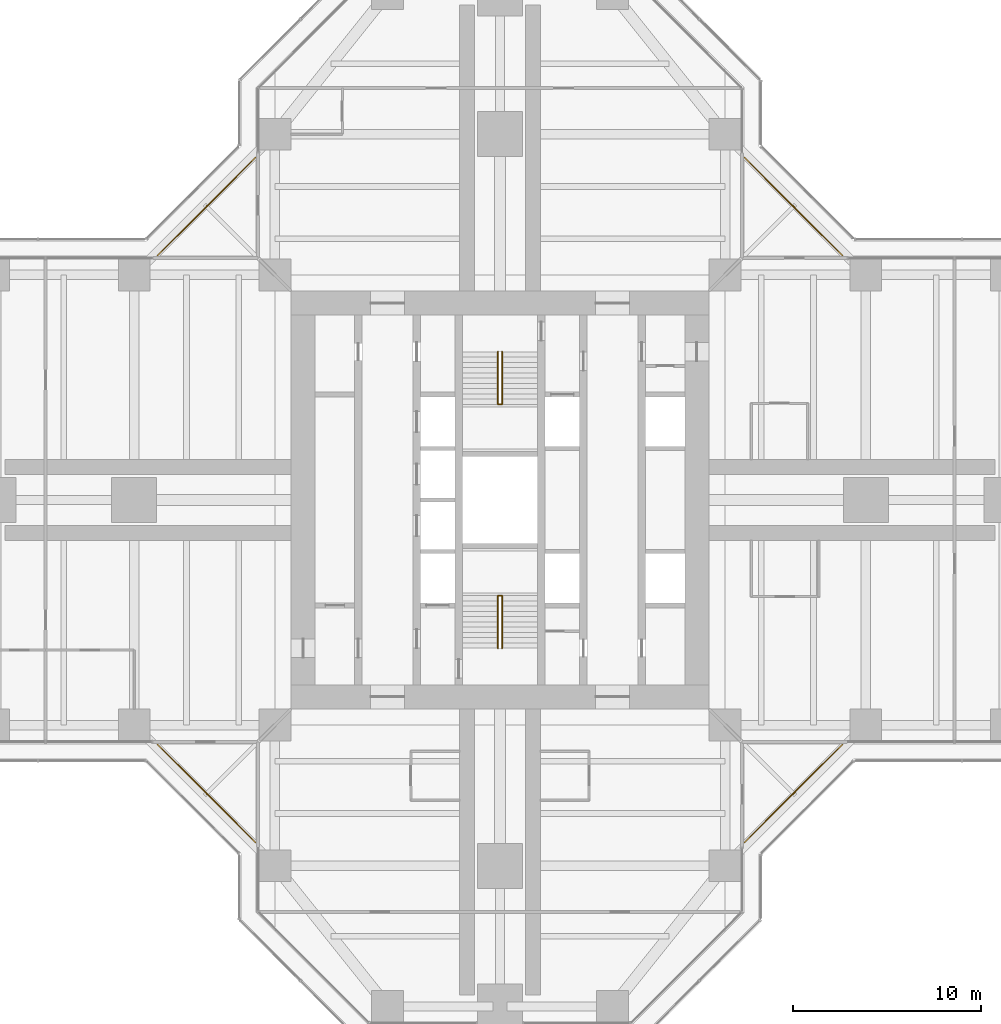
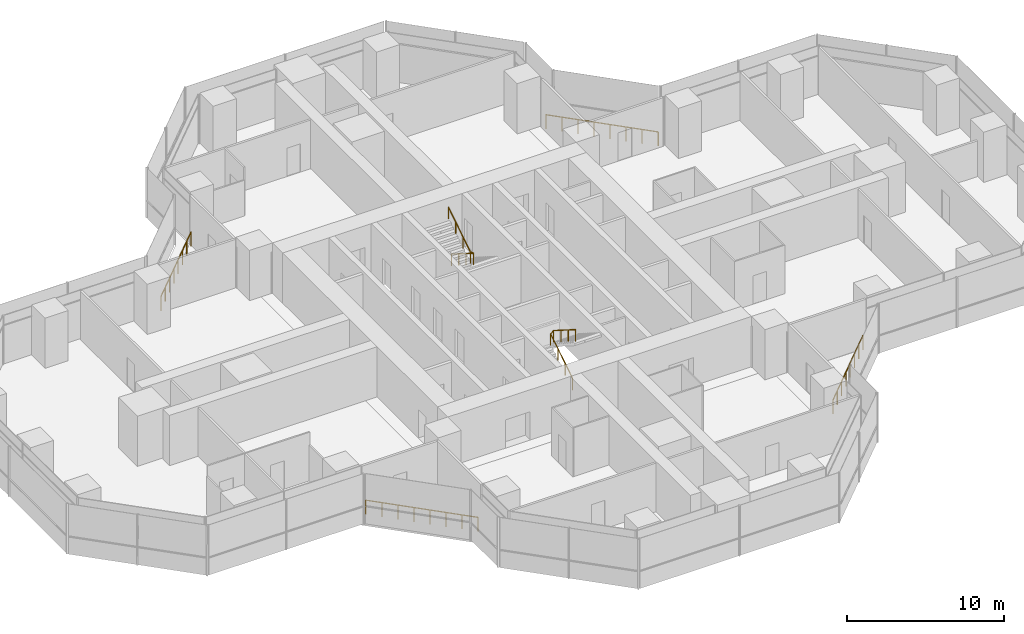
# One storey, part 19 of 19: 6 railings.
"""IFC4 building model written with IfcOpenShell, lengths in metres."""

from ifc_helpers import new_model, si_unit, direction, frame, origin, origin_2d, place, context, subcontext, project, spatial, circle, extrude, material, type_object, element, save


model = new_model("IFC4")

# Units and contexts
model_context = context("Model", 3, precision=1e-05, world=origin(), true_north=direction((0.0, 1.0)))
body_context = subcontext(model_context, "Body", "Model", "MODEL_VIEW")
ifc_project = project(units=[si_unit("LENGTHUNIT", "METRE"), si_unit("AREAUNIT", "SQUARE_METRE"), si_unit("VOLUMEUNIT", "CUBIC_METRE"), si_unit("PLANEANGLEUNIT", "RADIAN"), si_unit("MASSUNIT", "GRAM", prefix="KILO")], contexts=[model_context])

# Site, building, storey
site_placement = place(None, origin())
site = spatial("IfcSite", under=ifc_project, at=site_placement, CompositionType="ELEMENT")
building_placement = place(site_placement, origin())
building = spatial("IfcBuilding", under=site, at=building_placement, Name="Mizan Broadcast Tower", CompositionType="ELEMENT")
storey_placement = place(building_placement, frame((0.0, 0.0, 186.60009765625)))
storey = spatial("IfcBuildingStorey", under=building, at=storey_placement, Name="L43", CompositionType="ELEMENT", Elevation=186.60009765625)

# Railings
ifc_material_1 = material(Name="Stainless steel and glass guard", Category="steel")
railing_type_1 = type_object("IfcRailingType", Name="GUARD 1100", PredefinedType="GUARDRAIL", material=ifc_material_1)
railing_1_placement = place(storey_placement, frame((18.2578125, 13.030029296875, 0.0)))
element("IfcRailing", 1, at=railing_1_placement, inside=storey, type_object=railing_type_1, Name="Winter garden guard L43 E", PredefinedType="GUARDRAIL", context=body_context, shape_type="SweptSolid", body=[
    extrude(circle(Radius=0.02392578125, at=origin_2d()), frame((0.0, 0.0, 1.076171875), z_axis=(-0.707106781187, 0.707106781187, 0.0), x_axis=(-0.707106781187, -0.707106781187, 0.0)), (0.0, 0.0, 1.0), 7.393310546875),
    extrude(circle(Radius=0.02099609375, at=origin_2d()), origin(), (0.0, 0.0, 1.0), 1.052001953125),
    extrude(circle(Radius=0.02099609375, at=origin_2d()), frame((-0.746826171875, 0.746826171875, 0.0)), (0.0, 0.0, 1.0), 1.052001953125),
    extrude(circle(Radius=0.02099609375, at=origin_2d()), frame((-1.49365234375, 1.49365234375, 0.0)), (0.0, 0.0, 1.0), 1.052001953125),
    extrude(circle(Radius=0.02099609375, at=origin_2d()), frame((-2.240478515625, 2.240478515625, 0.0)), (0.0, 0.0, 1.0), 1.052001953125),
    extrude(circle(Radius=0.02099609375, at=origin_2d()), frame((-2.9873046875, 2.9873046875, 0.0)), (0.0, 0.0, 1.0), 1.052001953125),
    extrude(circle(Radius=0.02099609375, at=origin_2d()), frame((-3.734130859375, 3.734130859375, 0.0)), (0.0, 0.0, 1.0), 1.052001953125),
    extrude(circle(Radius=0.02099609375, at=origin_2d()), frame((-4.48095703125, 4.48095703125, 0.0)), (0.0, 0.0, 1.0), 1.052001953125),
    extrude(circle(Radius=0.02099609375, at=origin_2d()), frame((-5.227783203125, 5.227783203125, 0.0)), (0.0, 0.0, 1.0), 1.052001953125),
])
railing_2_placement = place(storey_placement, frame((-13.030029296875, 18.2578125, 0.0)))
element("IfcRailing", 2, at=railing_2_placement, inside=storey, type_object=railing_type_1, Name="Winter garden guard L43 N", PredefinedType="GUARDRAIL", context=body_context, shape_type="SweptSolid", body=[
    extrude(circle(Radius=0.02392578125, at=origin_2d()), frame((0.0, 0.0, 1.076171875), z_axis=(-0.707106781187, -0.707106781187, 0.0), x_axis=(0.707106781187, -0.707106781187, 0.0)), (0.0, 0.0, 1.0), 7.393310546875),
    extrude(circle(Radius=0.02099609375, at=origin_2d()), origin(), (0.0, 0.0, 1.0), 1.052001953125),
    extrude(circle(Radius=0.02099609375, at=origin_2d()), frame((-0.746826171875, -0.746826171875, 0.0)), (0.0, 0.0, 1.0), 1.052001953125),
    extrude(circle(Radius=0.02099609375, at=origin_2d()), frame((-1.49365234375, -1.49365234375, 0.0)), (0.0, 0.0, 1.0), 1.052001953125),
    extrude(circle(Radius=0.02099609375, at=origin_2d()), frame((-2.240478515625, -2.240478515625, 0.0)), (0.0, 0.0, 1.0), 1.052001953125),
    extrude(circle(Radius=0.02099609375, at=origin_2d()), frame((-2.9873046875, -2.9873046875, 0.0)), (0.0, 0.0, 1.0), 1.052001953125),
    extrude(circle(Radius=0.02099609375, at=origin_2d()), frame((-3.734130859375, -3.734130859375, 0.0)), (0.0, 0.0, 1.0), 1.052001953125),
    extrude(circle(Radius=0.02099609375, at=origin_2d()), frame((-4.48095703125, -4.48095703125, 0.0)), (0.0, 0.0, 1.0), 1.052001953125),
    extrude(circle(Radius=0.02099609375, at=origin_2d()), frame((-5.227783203125, -5.227783203125, 0.0)), (0.0, 0.0, 1.0), 1.052001953125),
])
railing_3_placement = place(storey_placement, frame((-18.2578125, -13.030029296875, 0.0)))
element("IfcRailing", 3, at=railing_3_placement, inside=storey, type_object=railing_type_1, Name="Winter garden guard L43 W", PredefinedType="GUARDRAIL", context=body_context, shape_type="SweptSolid", body=[
    extrude(circle(Radius=0.02392578125, at=origin_2d()), frame((0.0, 0.0, 1.076171875), z_axis=(0.707106781187, -0.707106781187, 0.0), x_axis=(0.707106781187, 0.707106781187, 0.0)), (0.0, 0.0, 1.0), 7.393310546875),
    extrude(circle(Radius=0.02099609375, at=origin_2d()), origin(), (0.0, 0.0, 1.0), 1.052001953125),
    extrude(circle(Radius=0.02099609375, at=origin_2d()), frame((0.746826171875, -0.746826171875, 0.0)), (0.0, 0.0, 1.0), 1.052001953125),
    extrude(circle(Radius=0.02099609375, at=origin_2d()), frame((1.49365234375, -1.49365234375, 0.0)), (0.0, 0.0, 1.0), 1.052001953125),
    extrude(circle(Radius=0.02099609375, at=origin_2d()), frame((2.240478515625, -2.240478515625, 0.0)), (0.0, 0.0, 1.0), 1.052001953125),
    extrude(circle(Radius=0.02099609375, at=origin_2d()), frame((2.9873046875, -2.9873046875, 0.0)), (0.0, 0.0, 1.0), 1.052001953125),
    extrude(circle(Radius=0.02099609375, at=origin_2d()), frame((3.734130859375, -3.734130859375, 0.0)), (0.0, 0.0, 1.0), 1.052001953125),
    extrude(circle(Radius=0.02099609375, at=origin_2d()), frame((4.48095703125, -4.48095703125, 0.0)), (0.0, 0.0, 1.0), 1.052001953125),
    extrude(circle(Radius=0.02099609375, at=origin_2d()), frame((5.227783203125, -5.227783203125, 0.0)), (0.0, 0.0, 1.0), 1.052001953125),
])
railing_4_placement = place(storey_placement, frame((13.030029296875, -18.2578125, 0.0)))
element("IfcRailing", 4, at=railing_4_placement, inside=storey, type_object=railing_type_1, Name="Winter garden guard L43 S", PredefinedType="GUARDRAIL", context=body_context, shape_type="SweptSolid", body=[
    extrude(circle(Radius=0.02392578125, at=origin_2d()), frame((0.0, 0.0, 1.076171875), z_axis=(0.707106781187, 0.707106781187, 0.0), x_axis=(-0.707106781187, 0.707106781187, 0.0)), (0.0, 0.0, 1.0), 7.393310546875),
    extrude(circle(Radius=0.02099609375, at=origin_2d()), origin(), (0.0, 0.0, 1.0), 1.052001953125),
    extrude(circle(Radius=0.02099609375, at=origin_2d()), frame((0.746826171875, 0.746826171875, 0.0)), (0.0, 0.0, 1.0), 1.052001953125),
    extrude(circle(Radius=0.02099609375, at=origin_2d()), frame((1.49365234375, 1.49365234375, 0.0)), (0.0, 0.0, 1.0), 1.052001953125),
    extrude(circle(Radius=0.02099609375, at=origin_2d()), frame((2.240478515625, 2.240478515625, 0.0)), (0.0, 0.0, 1.0), 1.052001953125),
    extrude(circle(Radius=0.02099609375, at=origin_2d()), frame((2.9873046875, 2.9873046875, 0.0)), (0.0, 0.0, 1.0), 1.052001953125),
    extrude(circle(Radius=0.02099609375, at=origin_2d()), frame((3.734130859375, 3.734130859375, 0.0)), (0.0, 0.0, 1.0), 1.052001953125),
    extrude(circle(Radius=0.02099609375, at=origin_2d()), frame((4.48095703125, 4.48095703125, 0.0)), (0.0, 0.0, 1.0), 1.052001953125),
    extrude(circle(Radius=0.02099609375, at=origin_2d()), frame((5.227783203125, 5.227783203125, 0.0)), (0.0, 0.0, 1.0), 1.052001953125),
])
ifc_material_2 = material(Name="Stainless steel", Category="steel")
railing_type_2 = type_object("IfcRailingType", Name="HANDRAIL 50", PredefinedType="HANDRAIL", material=ifc_material_2)
railing_5_placement = place(storey_placement, frame((-0.110107421875, -7.89990234375, 0.17724609375)))
element("IfcRailing", 5, at=railing_5_placement, inside=storey, type_object=railing_type_2, Name="Stair A handrail", PredefinedType="HANDRAIL", context=body_context, shape_type="SweptSolid", body=[
    extrude(circle(Radius=0.02392578125, at=origin_2d()), frame((0.0, 0.0, 0.8759765625), z_axis=(0.0, 0.844887892834, 0.53494340686), x_axis=(-1.0, 0.0, 0.0)), (0.0, 0.0, 1.0), 3.313720703125),
    extrude(circle(Radius=0.02392578125, at=origin_2d()), frame((0.0, 2.7998046875, 2.6484375), z_axis=(0.779011685263, 0.0, 0.627009405212), x_axis=(0.0, 1.0, 0.0)), (0.0, 0.0, 1.0), 0.28271484375),
    extrude(circle(Radius=0.02392578125, at=origin_2d()), frame((0.22021484375, 2.7998046875, 2.82568359375), z_axis=(0.0, -0.844887892834, 0.53494340686), x_axis=(1.0, 0.0, 0.0)), (0.0, 0.0, 1.0), 3.313720703125),
    extrude(circle(Radius=0.02099609375, at=origin_2d()), origin(), (0.0, 0.0, 1.0), 0.851806640625),
    extrude(circle(Radius=0.02099609375, at=origin_2d()), frame((0.0, 0.933349609375, 0.5908203125)), (0.0, 0.0, 1.0), 0.851806640625),
    extrude(circle(Radius=0.02099609375, at=origin_2d()), frame((0.0, 1.866455078125, 1.181884765625)), (0.0, 0.0, 1.0), 0.851806640625),
    extrude(circle(Radius=0.02099609375, at=origin_2d()), frame((0.0, 2.7998046875, 1.772705078125)), (0.0, 0.0, 1.0), 0.851806640625),
    extrude(circle(Radius=0.02099609375, at=origin_2d()), frame((0.22021484375, 2.7998046875, 1.949951171875)), (0.0, 0.0, 1.0), 0.851806640625),
    extrude(circle(Radius=0.02099609375, at=origin_2d()), frame((0.22021484375, 1.866455078125, 2.540771484375)), (0.0, 0.0, 1.0), 0.851806640625),
    extrude(circle(Radius=0.02099609375, at=origin_2d()), frame((0.22021484375, 0.933349609375, 3.1318359375)), (0.0, 0.0, 1.0), 0.851806640625),
    extrude(circle(Radius=0.02099609375, at=origin_2d()), frame((0.22021484375, 0.0, 3.72265625)), (0.0, 0.0, 1.0), 0.851806640625),
])
railing_6_placement = place(storey_placement, frame((0.110107421875, 7.89990234375, 0.17724609375)))
element("IfcRailing", 6, at=railing_6_placement, inside=storey, type_object=railing_type_2, Name="Stair B handrail", PredefinedType="HANDRAIL", context=body_context, shape_type="SweptSolid", body=[
    extrude(circle(Radius=0.02392578125, at=origin_2d()), frame((0.0, 0.0, 0.8759765625), z_axis=(0.0, -0.844887892834, 0.53494340686), x_axis=(1.0, 0.0, 0.0)), (0.0, 0.0, 1.0), 3.313720703125),
    extrude(circle(Radius=0.02392578125, at=origin_2d()), frame((0.0, -2.7998046875, 2.6484375), z_axis=(-0.779011685263, 0.0, 0.627009405212), x_axis=(0.0, -1.0, 0.0)), (0.0, 0.0, 1.0), 0.28271484375),
    extrude(circle(Radius=0.02392578125, at=origin_2d()), frame((-0.22021484375, -2.7998046875, 2.82568359375), z_axis=(0.0, 0.844887892834, 0.53494340686), x_axis=(-1.0, 0.0, 0.0)), (0.0, 0.0, 1.0), 3.313720703125),
    extrude(circle(Radius=0.02099609375, at=origin_2d()), origin(), (0.0, 0.0, 1.0), 0.851806640625),
    extrude(circle(Radius=0.02099609375, at=origin_2d()), frame((0.0, -0.933349609375, 0.5908203125)), (0.0, 0.0, 1.0), 0.851806640625),
    extrude(circle(Radius=0.02099609375, at=origin_2d()), frame((0.0, -1.866455078125, 1.181884765625)), (0.0, 0.0, 1.0), 0.851806640625),
    extrude(circle(Radius=0.02099609375, at=origin_2d()), frame((0.0, -2.7998046875, 1.772705078125)), (0.0, 0.0, 1.0), 0.851806640625),
    extrude(circle(Radius=0.02099609375, at=origin_2d()), frame((-0.22021484375, -2.7998046875, 1.949951171875)), (0.0, 0.0, 1.0), 0.851806640625),
    extrude(circle(Radius=0.02099609375, at=origin_2d()), frame((-0.22021484375, -1.866455078125, 2.540771484375)), (0.0, 0.0, 1.0), 0.851806640625),
    extrude(circle(Radius=0.02099609375, at=origin_2d()), frame((-0.22021484375, -0.933349609375, 3.1318359375)), (0.0, 0.0, 1.0), 0.851806640625),
    extrude(circle(Radius=0.02099609375, at=origin_2d()), frame((-0.22021484375, 0.0, 3.72265625)), (0.0, 0.0, 1.0), 0.851806640625),
])

save(model, "model.ifc")
